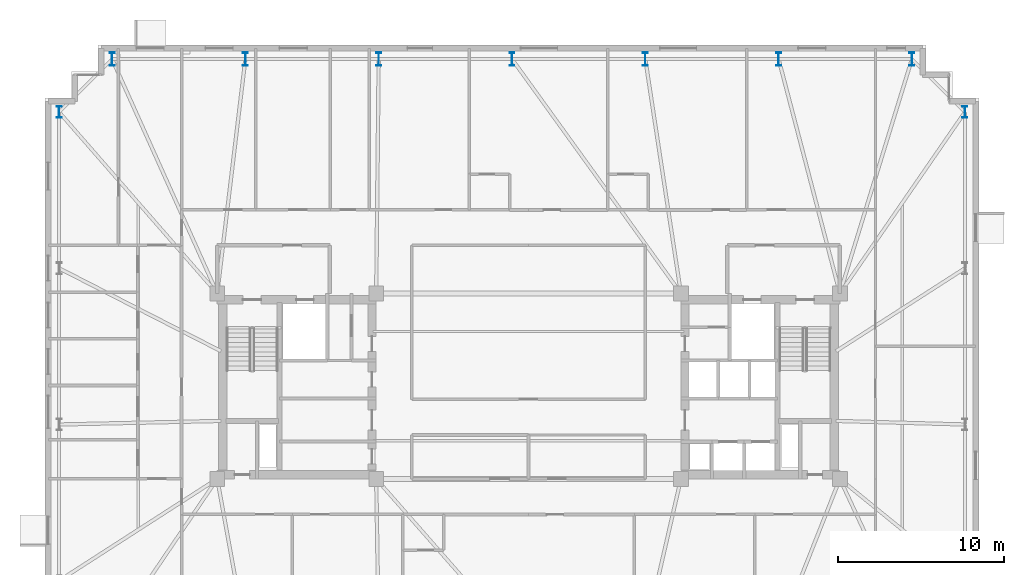
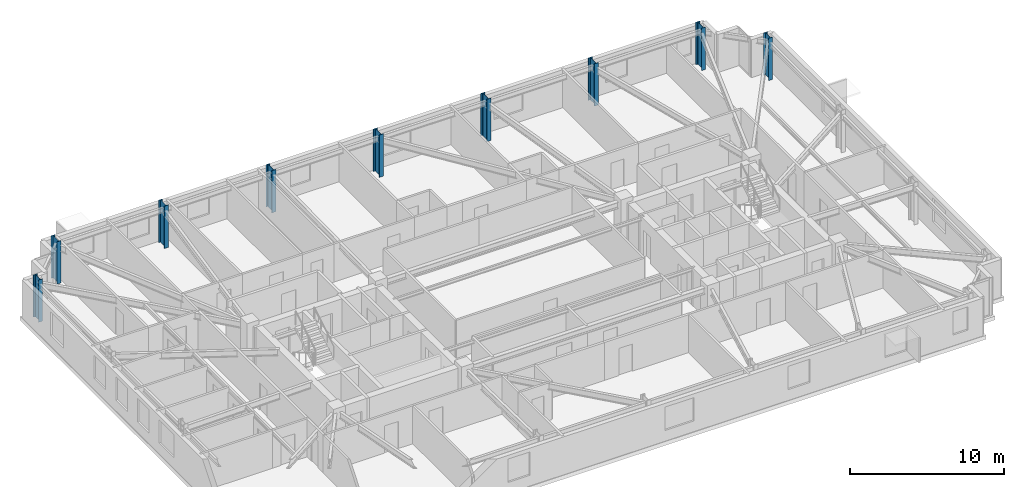
# One storey, part 2 of 17: 9 columns.
"""IFC4 building model written with IfcOpenShell, lengths in metres."""

from ifc_helpers import new_model, si_unit, direction, frame, origin, origin_2d, place, context, subcontext, project, spatial, i_section, extrude, material, material_profile, profile_set, type_object, element, save


model = new_model("IFC4")

# Units and contexts
model_context = context("Model", 3, precision=1e-05, world=origin(), true_north=direction((0.0, 1.0)))
body_context = subcontext(model_context, "Body", "Model", "MODEL_VIEW")
ifc_project = project(units=[si_unit("LENGTHUNIT", "METRE"), si_unit("AREAUNIT", "SQUARE_METRE"), si_unit("VOLUMEUNIT", "CUBIC_METRE"), si_unit("PLANEANGLEUNIT", "RADIAN"), si_unit("MASSUNIT", "GRAM", prefix="KILO")], contexts=[model_context])

# Site, building, storey
site_placement = place(None, origin())
site = spatial("IfcSite", under=ifc_project, at=site_placement, CompositionType="ELEMENT")
building_placement = place(site_placement, origin())
building = spatial("IfcBuilding", under=site, at=building_placement, Name="Qobustan Lattice House", CompositionType="ELEMENT")
storey_placement = place(building_placement, frame((0.0, 0.0, 171.199951171875)))
storey = spatial("IfcBuildingStorey", under=building, at=storey_placement, Name="L48", CompositionType="ELEMENT", Elevation=171.199951171875)

# Columns
ifc_material_1 = material(Name="Steel S355", Category="steel")
ifc_material_profile_1 = material_profile(ifc_material_1, i_section(OverallWidth=0.300048828125, OverallDepth=0.699951171875, WebThickness=0.01708984375, FlangeThickness=0.031982421875, FilletRadius=0.027099609375, at=origin_2d()), Name="HEB700")
ifc_profile_set_1 = profile_set([ifc_material_profile_1], Name="Steel S355")
column_type_1 = type_object("IfcColumnType", Name="COL-ST-HEB700", PredefinedType="COLUMN", material=ifc_profile_set_1)
for number, where, z_axis, x_axis, name in (
    (1, (26.35009765625, 16.550048828125, 0.0), (0.0, 0.0, 1.0), (1.0, 0.0, 0.0), "L48 B3 perimeter column E4"),
    (2, (-28.35009765625, 16.550048828125, 0.0), (0.0, 0.0, 1.0), (1.0, 0.0, 0.0), "L48 B3 perimeter column W1"),
):
    element("IfcColumn", number, at=place(storey_placement, frame(where, z_axis=z_axis, x_axis=x_axis)), inside=storey, type_object=column_type_1, Name=name, PredefinedType="COLUMN", context=body_context, shape_type="SweptSolid", body=[
        extrude(i_section(OverallWidth=0.300048828125, OverallDepth=0.699951171875, WebThickness=0.01708984375, FlangeThickness=0.031982421875, FilletRadius=0.027099609375, at=origin_2d()), origin(), (0.0, 0.0, 1.0), 3.35009765625),
    ])
ifc_material_2 = material(Name="Steel S355", Category="steel")
ifc_material_profile_2 = material_profile(ifc_material_2, i_section(OverallWidth=0.300048828125, OverallDepth=0.800048828125, WebThickness=0.017578125, FlangeThickness=0.032958984375, FilletRadius=0.030029296875, at=origin_2d()), Name="HEB800")
ifc_profile_set_2 = profile_set([ifc_material_profile_2], Name="Steel S355")
column_type_2 = type_object("IfcColumnType", Name="COL-ST-HEB800", PredefinedType="COLUMN", material=ifc_profile_set_2)
for number, where, z_axis, x_axis, name in (
    (3, (23.14990234375, 19.75, 0.0), (0.0, 0.0, 1.0), (1.0, 0.0, 0.0), "L48 B3 perimeter column N1"),
    (4, (15.10009765625, 19.75, 0.0), (0.0, 0.0, 1.0), (1.0, 0.0, 0.0), "L48 B3 perimeter column N2"),
    (5, (7.050048828125, 19.75, 0.0), (0.0, 0.0, 1.0), (1.0, 0.0, 0.0), "L48 B3 perimeter column N3"),
    (6, (-1.0, 19.75, 0.0), (0.0, 0.0, 1.0), (1.0, 0.0, 0.0), "L48 B3 perimeter column N4"),
    (7, (-9.050048828125, 19.75, 0.0), (0.0, 0.0, 1.0), (1.0, 0.0, 0.0), "L48 B3 perimeter column N5"),
    (8, (-17.10009765625, 19.75, 0.0), (0.0, 0.0, 1.0), (1.0, 0.0, 0.0), "L48 B3 perimeter column N6"),
    (9, (-25.14990234375, 19.75, 0.0), (0.0, 0.0, 1.0), (1.0, 0.0, 0.0), "L48 B3 perimeter column N7"),
):
    element("IfcColumn", number, at=place(storey_placement, frame(where, z_axis=z_axis, x_axis=x_axis)), inside=storey, type_object=column_type_2, Name=name, PredefinedType="COLUMN", context=body_context, shape_type="SweptSolid", body=[
        extrude(i_section(OverallWidth=0.300048828125, OverallDepth=0.800048828125, WebThickness=0.017578125, FlangeThickness=0.032958984375, FilletRadius=0.030029296875, at=origin_2d()), origin(), (0.0, 0.0, 1.0), 3.35009765625),
    ])

save(model, "model.ifc")
